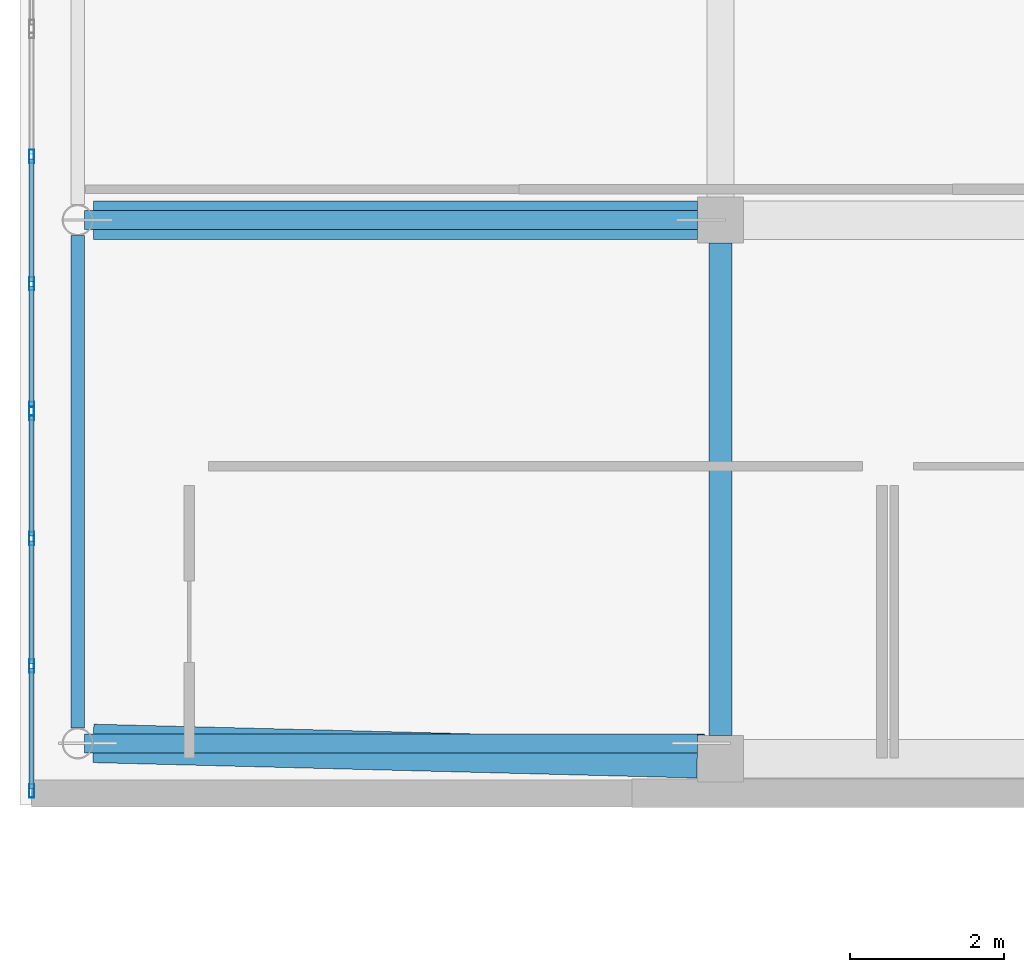
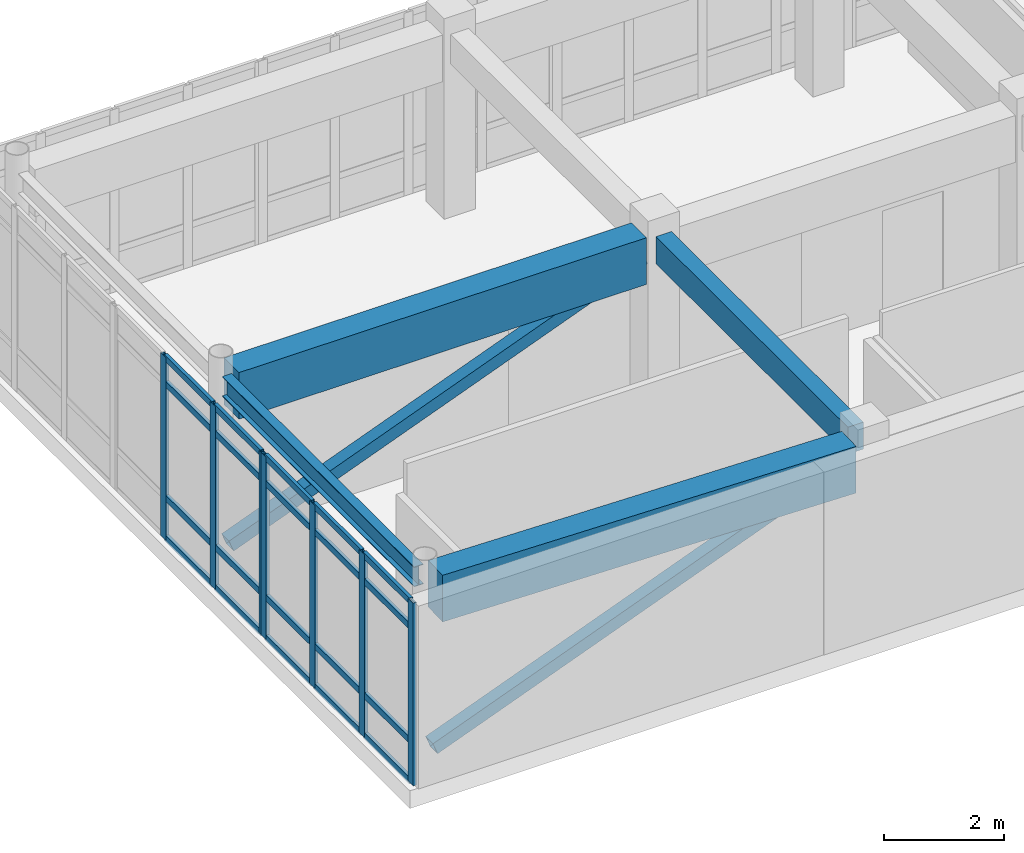
# One storey, part 6 of 52: 29 members, 4 beams, 2 elements without a shape of their own.
"""IFC4 building model written with IfcOpenShell, lengths in metres."""

from ifc_helpers import new_model, si_unit, direction, frame, origin, origin_2d, place, context, subcontext, project, spatial, rectangle, hollow_rectangle, i_section, extrude, material, layer, layer_set, material_profile, profile_set, type_object, element, aggregate, save


model = new_model("IFC4")

# Units and contexts
model_context = context("Model", 3, precision=1e-05, world=origin(), true_north=direction((0.0, 1.0)))
body_context = subcontext(model_context, "Body", "Model", "MODEL_VIEW")
ifc_project = project(units=[si_unit("LENGTHUNIT", "METRE"), si_unit("AREAUNIT", "SQUARE_METRE"), si_unit("VOLUMEUNIT", "CUBIC_METRE"), si_unit("PLANEANGLEUNIT", "RADIAN"), si_unit("MASSUNIT", "GRAM", prefix="KILO")], contexts=[model_context])

# Site, building, storey
site_placement = place(None, origin())
site = spatial("IfcSite", under=ifc_project, at=site_placement, CompositionType="ELEMENT")
building_placement = place(site_placement, origin())
building = spatial("IfcBuilding", under=site, at=building_placement, Name="Valcora Specialist Clinic", CompositionType="ELEMENT")
storey_placement = place(building_placement, frame((0.0, 0.0, 17.679931640625)))
storey = spatial("IfcBuildingStorey", under=building, at=storey_placement, Name="L04", CompositionType="ELEMENT", Elevation=17.679931640625)

# Beams
ifc_material_1 = material(Name="Steel ASTM A992 Grade 50", Category="steel")
ifc_material_profile_1 = material_profile(ifc_material_1, i_section(OverallWidth=0.177978515625, OverallDepth=0.406005859375, WebThickness=0.008056640625, FlangeThickness=0.012939453125, at=origin_2d()), Name="ST-IR-410X180")
ifc_profile_set_1 = profile_set([ifc_material_profile_1], Name="Steel ASTM A992 Grade 50")
beam_type_1 = type_object("IfcBeamType", Name="TY-BM-IR410", PredefinedType="SPANDREL", material=ifc_profile_set_1)
beam_1_placement = place(storey_placement, frame((0.75, 8.60302734375, 3.51318359375), z_axis=(0.0, 1.0, 0.0), x_axis=(-1.0, 0.0, 0.0)))
element("IfcBeam", 1, at=beam_1_placement, inside=storey, type_object=beam_type_1, Name="Beam BM-L04-1095", PredefinedType="SPANDREL", context=body_context, shape_type="SweptSolid", body=[
    extrude(i_section(OverallWidth=0.177978515625, OverallDepth=0.406005859375, WebThickness=0.008056640625, FlangeThickness=0.012939453125, at=origin_2d()), origin(), (0.0, 0.0, 1.0), 6.39404296875),
])
ifc_material_2 = material(Name="Concrete C40/50", Category="concrete")
ifc_material_profile_2 = material_profile(ifc_material_2, rectangle(XDim=0.300048828125, YDim=0.550048828125, at=origin_2d()), Name="RC-BM-300X550")
ifc_profile_set_2 = profile_set([ifc_material_profile_2], Name="Concrete C40/50")
beam_type_2 = type_object("IfcBeamType", Name="TY-BM-RC300X550", PredefinedType="BEAM", material=ifc_profile_set_2)
beam_2_placement = place(storey_placement, frame((9.10009765625, 8.5, 3.445068359375), z_axis=(0.0, 1.0, 0.0), x_axis=(-1.0, 0.0, 0.0)))
element("IfcBeam", 2, at=beam_2_placement, inside=storey, type_object=beam_type_2, Name="Beam BM-L04-1097", PredefinedType="BEAM", context=body_context, shape_type="SweptSolid", body=[
    extrude(rectangle(XDim=0.300048828125, YDim=0.550048828125, at=origin_2d()), origin(), (0.0, 0.0, 1.0), 6.39990234375),
])
ifc_material_profile_3 = material_profile(ifc_material_2, rectangle(XDim=0.5, YDim=0.949951171875, at=origin_2d()), Name="RC-BM-500X950")
ifc_profile_set_3 = profile_set([ifc_material_profile_3], Name="Concrete C40/50")
beam_type_3 = type_object("IfcBeamType", Name="TY-BM-TR500X950", PredefinedType="BEAM", material=ifc_profile_set_3)
beam_3_placement = place(storey_placement, frame((0.952880859375, 8.39990234375, 3.2451171875), z_axis=(0.99967552548, -0.025472411654, 0.0), x_axis=(0.025472411654, 0.99967552548, 0.0)))
element("IfcBeam", 3, at=beam_3_placement, inside=storey, type_object=beam_type_3, Name="Beam BM-L04-1077", PredefinedType="BEAM", context=body_context, shape_type="SweptSolid", body=[
    extrude(rectangle(XDim=0.5, YDim=0.949951171875, at=origin_2d()), origin(), (0.0, 0.0, 1.0), 7.849609375),
])
beam_4_placement = place(storey_placement, frame((0.952880859375, 15.199951171875, 3.2451171875), z_axis=(1.0, 0.0, 0.0), x_axis=(0.0, 1.0, 0.0)))
element("IfcBeam", 4, at=beam_4_placement, inside=storey, type_object=beam_type_3, Name="Beam BM-L04-1083", PredefinedType="BEAM", context=body_context, shape_type="SweptSolid", body=[
    extrude(rectangle(XDim=0.5, YDim=0.949951171875, at=origin_2d()), origin(), (0.0, 0.0, 1.0), 7.84716796875),
])

# Curtain wall, members
ifc_material_3 = material(Name="Anodized Bronze Aluminium 6063-T6", Category="aluminium")
ifc_layer = layer(ifc_material_3, 0.175048828125)
ifc_layer_set = layer_set([ifc_layer], Name="Anodized Bronze Aluminium 6063-T6")
curtain_wall_type = type_object("IfcCurtainWallType", Name="TY-CW-V5F15", PredefinedType="NOTDEFINED", material=ifc_layer_set)
curtain_wall_1_placement = place(storey_placement, origin())
curtain_wall_1 = element("IfcCurtainWall", 5, at=curtain_wall_1_placement, inside=storey, type_object=curtain_wall_type, Name="Curtain wall CW-L04-164", PredefinedType="NOTDEFINED")
ifc_material_profile_4 = material_profile(ifc_material_3, hollow_rectangle(XDim=0.06494140625, YDim=0.175048828125, WallThickness=0.00390625, at=origin_2d()), Name="AL-MUL-65X175")
ifc_profile_set_4 = profile_set([ifc_material_profile_4], Name="Anodized Bronze Aluminium 6063-T6")
member_type_1 = type_object("IfcMemberType", Name="TY-CWM-65X175", PredefinedType="MULLION", material=ifc_profile_set_4)
member_1_placement = place(storey_placement, frame((0.14990234375, 7.782470703125, 0.0), z_axis=(0.0, 0.0, 1.0), x_axis=(-1.0, 0.0, 0.0)))
member_1 = element("IfcMember", 6, at=member_1_placement, type_object=member_type_1, Name="CW-V5F-15 mullion 1", PredefinedType="MULLION", context=body_context, shape_type="SweptSolid", body=[
    extrude(hollow_rectangle(XDim=0.06494140625, YDim=0.175048828125, WallThickness=0.00390625, at=origin_2d()), origin(), (0.0, 0.0, 1.0), 3.719970703125),
])
member_2_placement = place(storey_placement, frame((0.14990234375, 9.405517578125, 0.0), z_axis=(0.0, 0.0, 1.0), x_axis=(-1.0, 0.0, 0.0)))
member_2 = element("IfcMember", 7, at=member_2_placement, type_object=member_type_1, Name="CW-V5F-15 mullion 2", PredefinedType="MULLION", context=body_context, shape_type="SweptSolid", body=[
    extrude(hollow_rectangle(XDim=0.06494140625, YDim=0.175048828125, WallThickness=0.00390625, at=origin_2d()), origin(), (0.0, 0.0, 1.0), 3.719970703125),
])
member_3_placement = place(storey_placement, frame((0.14990234375, 11.06103515625, 0.0), z_axis=(0.0, 0.0, 1.0), x_axis=(-1.0, 0.0, 0.0)))
member_3 = element("IfcMember", 8, at=member_3_placement, type_object=member_type_1, Name="CW-V5F-15 mullion 3", PredefinedType="MULLION", context=body_context, shape_type="SweptSolid", body=[
    extrude(hollow_rectangle(XDim=0.06494140625, YDim=0.175048828125, WallThickness=0.00390625, at=origin_2d()), origin(), (0.0, 0.0, 1.0), 3.719970703125),
])
member_4_placement = place(storey_placement, frame((0.14990234375, 12.68408203125, 0.0), z_axis=(0.0, 0.0, 1.0), x_axis=(-1.0, 0.0, 0.0)))
member_4 = element("IfcMember", 9, at=member_4_placement, type_object=member_type_1, Name="CW-V5F-15 mullion 4", PredefinedType="MULLION", context=body_context, shape_type="SweptSolid", body=[
    extrude(hollow_rectangle(XDim=0.06494140625, YDim=0.175048828125, WallThickness=0.00390625, at=origin_2d()), origin(), (0.0, 0.0, 1.0), 3.719970703125),
])

curtain_wall_2_placement = place(storey_placement, origin())
curtain_wall_2 = element("IfcCurtainWall", 10, at=curtain_wall_2_placement, inside=storey, type_object=curtain_wall_type, Name="Curtain wall CW-L04-165", PredefinedType="NOTDEFINED")
member_5_placement = place(storey_placement, frame((0.14990234375, 12.749267578125, 0.0), z_axis=(0.0, 0.0, 1.0), x_axis=(-1.0, 0.0, 0.0)))
member_5 = element("IfcMember", 11, at=member_5_placement, type_object=member_type_1, Name="CW-V5F-15 mullion 1", PredefinedType="MULLION", context=body_context, shape_type="SweptSolid", body=[
    extrude(hollow_rectangle(XDim=0.06494140625, YDim=0.175048828125, WallThickness=0.00390625, at=origin_2d()), origin(), (0.0, 0.0, 1.0), 3.719970703125),
])
member_6_placement = place(storey_placement, frame((0.14990234375, 14.372314453125, 0.0), z_axis=(0.0, 0.0, 1.0), x_axis=(-1.0, 0.0, 0.0)))
member_6 = element("IfcMember", 12, at=member_6_placement, type_object=member_type_1, Name="CW-V5F-15 mullion 2", PredefinedType="MULLION", context=body_context, shape_type="SweptSolid", body=[
    extrude(hollow_rectangle(XDim=0.06494140625, YDim=0.175048828125, WallThickness=0.00390625, at=origin_2d()), origin(), (0.0, 0.0, 1.0), 3.719970703125),
])
member_7_placement = place(storey_placement, frame((0.14990234375, 16.02783203125, 0.0), z_axis=(0.0, 0.0, 1.0), x_axis=(-1.0, 0.0, 0.0)))
member_7 = element("IfcMember", 13, at=member_7_placement, type_object=member_type_1, Name="CW-V5F-15 mullion 3", PredefinedType="MULLION", context=body_context, shape_type="SweptSolid", body=[
    extrude(hollow_rectangle(XDim=0.06494140625, YDim=0.175048828125, WallThickness=0.00390625, at=origin_2d()), origin(), (0.0, 0.0, 1.0), 3.719970703125),
])

# Member
ifc_material_profile_5 = material_profile(ifc_material_3, hollow_rectangle(XDim=0.06494140625, YDim=0.1298828125, WallThickness=0.00390625, at=origin_2d()), Name="AL-TRN-65X130")
ifc_profile_set_5 = profile_set([ifc_material_profile_5], Name="Anodized Bronze Aluminium 6063-T6")
member_type_2 = type_object("IfcMemberType", Name="TY-CWT-65X130", PredefinedType="USERDEFINED", material=ifc_profile_set_5)
member_8_placement = place(storey_placement, frame((0.14990234375, 7.81494140625, 0.032470703125), z_axis=(0.0, 1.0, 0.0), x_axis=(-1.0, 0.0, 0.0)))
member_8 = element("IfcMember", 14, at=member_8_placement, type_object=member_type_2, Name="CW-V5F-15 transom 1.1", ObjectType="TRANSOM", PredefinedType="USERDEFINED", context=body_context, shape_type="SweptSolid", body=[
    extrude(hollow_rectangle(XDim=0.06494140625, YDim=0.1298828125, WallThickness=0.00390625, at=origin_2d()), origin(), (0.0, 0.0, 1.0), 1.55810546875),
])

member_9_placement = place(storey_placement, frame((0.14990234375, 7.81494140625, 0.85009765625), z_axis=(0.0, 1.0, 0.0), x_axis=(-1.0, 0.0, 0.0)))
member_9 = element("IfcMember", 15, at=member_9_placement, type_object=member_type_2, Name="CW-V5F-15 transom 1.2", ObjectType="TRANSOM", PredefinedType="USERDEFINED", context=body_context, shape_type="SweptSolid", body=[
    extrude(hollow_rectangle(XDim=0.06494140625, YDim=0.1298828125, WallThickness=0.00390625, at=origin_2d()), origin(), (0.0, 0.0, 1.0), 1.55810546875),
])

member_10_placement = place(storey_placement, frame((0.14990234375, 7.81494140625, 3.170166015625), z_axis=(0.0, 1.0, 0.0), x_axis=(-1.0, 0.0, 0.0)))
member_10 = element("IfcMember", 16, at=member_10_placement, type_object=member_type_2, Name="CW-V5F-15 transom 1.3", ObjectType="TRANSOM", PredefinedType="USERDEFINED", context=body_context, shape_type="SweptSolid", body=[
    extrude(hollow_rectangle(XDim=0.06494140625, YDim=0.1298828125, WallThickness=0.00390625, at=origin_2d()), origin(), (0.0, 0.0, 1.0), 1.55810546875),
])

member_11_placement = place(storey_placement, frame((0.14990234375, 7.81494140625, 3.6875), z_axis=(0.0, 1.0, 0.0), x_axis=(-1.0, 0.0, 0.0)))
member_11 = element("IfcMember", 17, at=member_11_placement, type_object=member_type_2, Name="CW-V5F-15 transom 1.4", ObjectType="TRANSOM", PredefinedType="USERDEFINED", context=body_context, shape_type="SweptSolid", body=[
    extrude(hollow_rectangle(XDim=0.06494140625, YDim=0.1298828125, WallThickness=0.00390625, at=origin_2d()), origin(), (0.0, 0.0, 1.0), 1.55810546875),
])

member_12_placement = place(storey_placement, frame((0.14990234375, 9.43798828125, 0.032470703125), z_axis=(0.0, 1.0, 0.0), x_axis=(-1.0, 0.0, 0.0)))
member_12 = element("IfcMember", 18, at=member_12_placement, type_object=member_type_2, Name="CW-V5F-15 transom 2.1", ObjectType="TRANSOM", PredefinedType="USERDEFINED", context=body_context, shape_type="SweptSolid", body=[
    extrude(hollow_rectangle(XDim=0.06494140625, YDim=0.1298828125, WallThickness=0.00390625, at=origin_2d()), origin(), (0.0, 0.0, 1.0), 1.590576171875),
])

member_13_placement = place(storey_placement, frame((0.14990234375, 9.43798828125, 0.85009765625), z_axis=(0.0, 1.0, 0.0), x_axis=(-1.0, 0.0, 0.0)))
member_13 = element("IfcMember", 19, at=member_13_placement, type_object=member_type_2, Name="CW-V5F-15 transom 2.2", ObjectType="TRANSOM", PredefinedType="USERDEFINED", context=body_context, shape_type="SweptSolid", body=[
    extrude(hollow_rectangle(XDim=0.06494140625, YDim=0.1298828125, WallThickness=0.00390625, at=origin_2d()), origin(), (0.0, 0.0, 1.0), 1.590576171875),
])

member_14_placement = place(storey_placement, frame((0.14990234375, 9.43798828125, 3.170166015625), z_axis=(0.0, 1.0, 0.0), x_axis=(-1.0, 0.0, 0.0)))
member_14 = element("IfcMember", 20, at=member_14_placement, type_object=member_type_2, Name="CW-V5F-15 transom 2.3", ObjectType="TRANSOM", PredefinedType="USERDEFINED", context=body_context, shape_type="SweptSolid", body=[
    extrude(hollow_rectangle(XDim=0.06494140625, YDim=0.1298828125, WallThickness=0.00390625, at=origin_2d()), origin(), (0.0, 0.0, 1.0), 1.590576171875),
])

member_15_placement = place(storey_placement, frame((0.14990234375, 9.43798828125, 3.6875), z_axis=(0.0, 1.0, 0.0), x_axis=(-1.0, 0.0, 0.0)))
member_15 = element("IfcMember", 21, at=member_15_placement, type_object=member_type_2, Name="CW-V5F-15 transom 2.4", ObjectType="TRANSOM", PredefinedType="USERDEFINED", context=body_context, shape_type="SweptSolid", body=[
    extrude(hollow_rectangle(XDim=0.06494140625, YDim=0.1298828125, WallThickness=0.00390625, at=origin_2d()), origin(), (0.0, 0.0, 1.0), 1.590576171875),
])

member_16_placement = place(storey_placement, frame((0.14990234375, 11.09375, 0.032470703125), z_axis=(0.0, 1.0, 0.0), x_axis=(-1.0, 0.0, 0.0)))
member_16 = element("IfcMember", 22, at=member_16_placement, type_object=member_type_2, Name="CW-V5F-15 transom 3.1", ObjectType="TRANSOM", PredefinedType="USERDEFINED", context=body_context, shape_type="SweptSolid", body=[
    extrude(hollow_rectangle(XDim=0.06494140625, YDim=0.1298828125, WallThickness=0.00390625, at=origin_2d()), origin(), (0.0, 0.0, 1.0), 1.557861328125),
])

member_17_placement = place(storey_placement, frame((0.14990234375, 11.09375, 0.85009765625), z_axis=(0.0, 1.0, 0.0), x_axis=(-1.0, 0.0, 0.0)))
member_17 = element("IfcMember", 23, at=member_17_placement, type_object=member_type_2, Name="CW-V5F-15 transom 3.2", ObjectType="TRANSOM", PredefinedType="USERDEFINED", context=body_context, shape_type="SweptSolid", body=[
    extrude(hollow_rectangle(XDim=0.06494140625, YDim=0.1298828125, WallThickness=0.00390625, at=origin_2d()), origin(), (0.0, 0.0, 1.0), 1.557861328125),
])

member_18_placement = place(storey_placement, frame((0.14990234375, 11.09375, 3.170166015625), z_axis=(0.0, 1.0, 0.0), x_axis=(-1.0, 0.0, 0.0)))
member_18 = element("IfcMember", 24, at=member_18_placement, type_object=member_type_2, Name="CW-V5F-15 transom 3.3", ObjectType="TRANSOM", PredefinedType="USERDEFINED", context=body_context, shape_type="SweptSolid", body=[
    extrude(hollow_rectangle(XDim=0.06494140625, YDim=0.1298828125, WallThickness=0.00390625, at=origin_2d()), origin(), (0.0, 0.0, 1.0), 1.557861328125),
])

member_19_placement = place(storey_placement, frame((0.14990234375, 11.09375, 3.6875), z_axis=(0.0, 1.0, 0.0), x_axis=(-1.0, 0.0, 0.0)))
member_19 = element("IfcMember", 25, at=member_19_placement, type_object=member_type_2, Name="CW-V5F-15 transom 3.4", ObjectType="TRANSOM", PredefinedType="USERDEFINED", context=body_context, shape_type="SweptSolid", body=[
    extrude(hollow_rectangle(XDim=0.06494140625, YDim=0.1298828125, WallThickness=0.00390625, at=origin_2d()), origin(), (0.0, 0.0, 1.0), 1.557861328125),
])

aggregate(curtain_wall_1, [member_1, member_2, member_3, member_4, member_8, member_9, member_10, member_11, member_12, member_13, member_14, member_15, member_16, member_17, member_18, member_19])

member_20_placement = place(storey_placement, frame((0.14990234375, 12.78173828125, 0.032470703125), z_axis=(0.0, 1.0, 0.0), x_axis=(-1.0, 0.0, 0.0)))
member_20 = element("IfcMember", 26, at=member_20_placement, type_object=member_type_2, Name="CW-V5F-15 transom 1.1", ObjectType="TRANSOM", PredefinedType="USERDEFINED", context=body_context, shape_type="SweptSolid", body=[
    extrude(hollow_rectangle(XDim=0.06494140625, YDim=0.1298828125, WallThickness=0.00390625, at=origin_2d()), origin(), (0.0, 0.0, 1.0), 1.55810546875),
])

member_21_placement = place(storey_placement, frame((0.14990234375, 12.78173828125, 0.85009765625), z_axis=(0.0, 1.0, 0.0), x_axis=(-1.0, 0.0, 0.0)))
member_21 = element("IfcMember", 27, at=member_21_placement, type_object=member_type_2, Name="CW-V5F-15 transom 1.2", ObjectType="TRANSOM", PredefinedType="USERDEFINED", context=body_context, shape_type="SweptSolid", body=[
    extrude(hollow_rectangle(XDim=0.06494140625, YDim=0.1298828125, WallThickness=0.00390625, at=origin_2d()), origin(), (0.0, 0.0, 1.0), 1.55810546875),
])

member_22_placement = place(storey_placement, frame((0.14990234375, 12.78173828125, 3.170166015625), z_axis=(0.0, 1.0, 0.0), x_axis=(-1.0, 0.0, 0.0)))
member_22 = element("IfcMember", 28, at=member_22_placement, type_object=member_type_2, Name="CW-V5F-15 transom 1.3", ObjectType="TRANSOM", PredefinedType="USERDEFINED", context=body_context, shape_type="SweptSolid", body=[
    extrude(hollow_rectangle(XDim=0.06494140625, YDim=0.1298828125, WallThickness=0.00390625, at=origin_2d()), origin(), (0.0, 0.0, 1.0), 1.55810546875),
])

member_23_placement = place(storey_placement, frame((0.14990234375, 12.78173828125, 3.6875), z_axis=(0.0, 1.0, 0.0), x_axis=(-1.0, 0.0, 0.0)))
member_23 = element("IfcMember", 29, at=member_23_placement, type_object=member_type_2, Name="CW-V5F-15 transom 1.4", ObjectType="TRANSOM", PredefinedType="USERDEFINED", context=body_context, shape_type="SweptSolid", body=[
    extrude(hollow_rectangle(XDim=0.06494140625, YDim=0.1298828125, WallThickness=0.00390625, at=origin_2d()), origin(), (0.0, 0.0, 1.0), 1.55810546875),
])

member_24_placement = place(storey_placement, frame((0.14990234375, 14.40478515625, 0.032470703125), z_axis=(0.0, 1.0, 0.0), x_axis=(-1.0, 0.0, 0.0)))
member_24 = element("IfcMember", 30, at=member_24_placement, type_object=member_type_2, Name="CW-V5F-15 transom 2.1", ObjectType="TRANSOM", PredefinedType="USERDEFINED", context=body_context, shape_type="SweptSolid", body=[
    extrude(hollow_rectangle(XDim=0.06494140625, YDim=0.1298828125, WallThickness=0.00390625, at=origin_2d()), origin(), (0.0, 0.0, 1.0), 1.590576171875),
])

member_25_placement = place(storey_placement, frame((0.14990234375, 14.40478515625, 0.85009765625), z_axis=(0.0, 1.0, 0.0), x_axis=(-1.0, 0.0, 0.0)))
member_25 = element("IfcMember", 31, at=member_25_placement, type_object=member_type_2, Name="CW-V5F-15 transom 2.2", ObjectType="TRANSOM", PredefinedType="USERDEFINED", context=body_context, shape_type="SweptSolid", body=[
    extrude(hollow_rectangle(XDim=0.06494140625, YDim=0.1298828125, WallThickness=0.00390625, at=origin_2d()), origin(), (0.0, 0.0, 1.0), 1.590576171875),
])

member_26_placement = place(storey_placement, frame((0.14990234375, 14.40478515625, 3.170166015625), z_axis=(0.0, 1.0, 0.0), x_axis=(-1.0, 0.0, 0.0)))
member_26 = element("IfcMember", 32, at=member_26_placement, type_object=member_type_2, Name="CW-V5F-15 transom 2.3", ObjectType="TRANSOM", PredefinedType="USERDEFINED", context=body_context, shape_type="SweptSolid", body=[
    extrude(hollow_rectangle(XDim=0.06494140625, YDim=0.1298828125, WallThickness=0.00390625, at=origin_2d()), origin(), (0.0, 0.0, 1.0), 1.590576171875),
])

member_27_placement = place(storey_placement, frame((0.14990234375, 14.40478515625, 3.6875), z_axis=(0.0, 1.0, 0.0), x_axis=(-1.0, 0.0, 0.0)))
member_27 = element("IfcMember", 33, at=member_27_placement, type_object=member_type_2, Name="CW-V5F-15 transom 2.4", ObjectType="TRANSOM", PredefinedType="USERDEFINED", context=body_context, shape_type="SweptSolid", body=[
    extrude(hollow_rectangle(XDim=0.06494140625, YDim=0.1298828125, WallThickness=0.00390625, at=origin_2d()), origin(), (0.0, 0.0, 1.0), 1.590576171875),
])

aggregate(curtain_wall_2, [member_5, member_6, member_7, member_20, member_21, member_22, member_23, member_24, member_25, member_26, member_27])

# Members
ifc_material_4 = material(Name="Steel ASTM A500 Grade C", Category="steel")
ifc_material_profile_6 = material_profile(ifc_material_4, hollow_rectangle(XDim=0.25, YDim=0.25, WallThickness=0.010009765625, at=origin_2d()), Name="ST-RHS-250X250X10")
ifc_profile_set_6 = profile_set([ifc_material_profile_6], Name="Steel ASTM A500 Grade C")
member_type_3 = type_object("IfcMemberType", Name="TY-MB-BR250", PredefinedType="BRACE", material=ifc_profile_set_6)
for number, where, z_axis, x_axis, name in (
    (34, (0.8798828125, 8.39990234375, 0.14013671875), (0.933567273368, 0.0, 0.35840221274), (0.0, 1.0, 0.0), "Cantilever diagonal brace MB-L04-0689"),
    (35, (0.8798828125, 15.199951171875, 0.14013671875), (0.933567273368, 0.0, 0.35840221274), (0.0, 1.0, 0.0), "Cantilever diagonal brace MB-L04-0693"),
):
    element("IfcMember", number, at=place(storey_placement, frame(where, z_axis=z_axis, x_axis=x_axis)), inside=storey, type_object=member_type_3, Name=name, PredefinedType="BRACE", context=body_context, shape_type="SweptSolid", body=[
        extrude(hollow_rectangle(XDim=0.25, YDim=0.25, WallThickness=0.010009765625, at=origin_2d()), origin(), (0.0, 0.0, 1.0), 8.537353515625),
    ])

save(model, "model.ifc")
